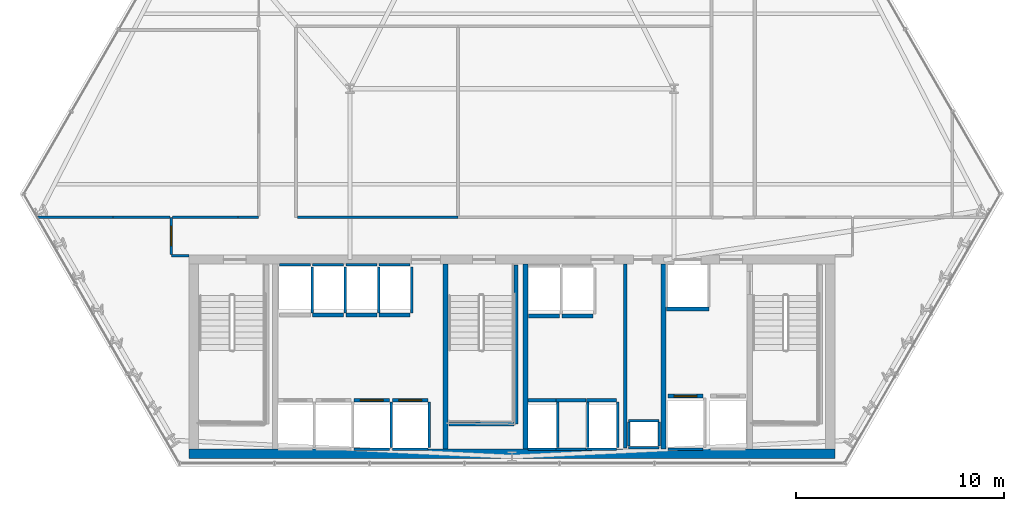
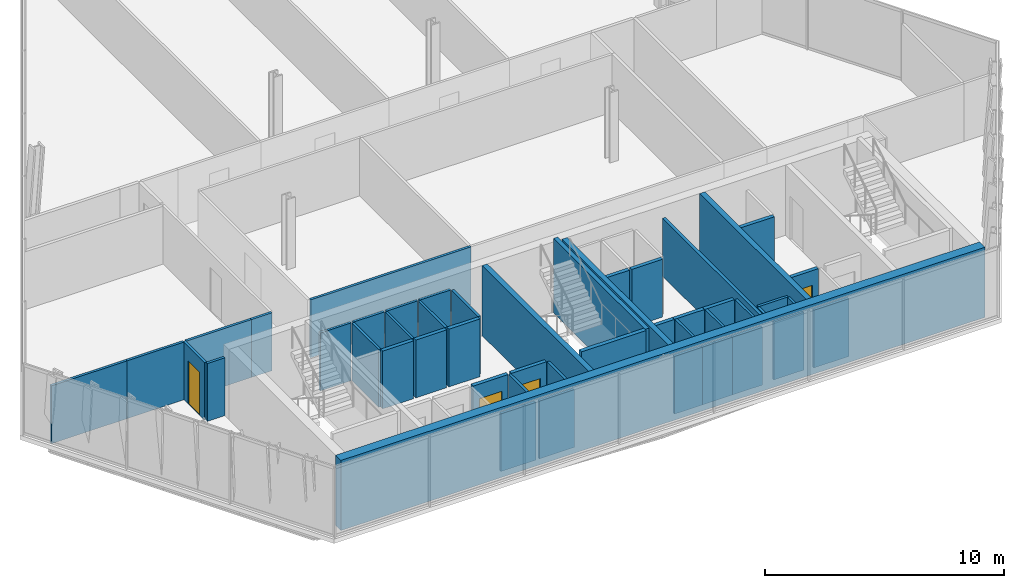
# One storey, part 27 of 32: 49 walls, 4 doors, 4 openings.
"""IFC4 building model written with IfcOpenShell, lengths in metres."""

import ifcopenshell
import ifcopenshell.guid

model = None  # the IFC model being written
_history = None  # IfcOwnerHistory: only IFC2X3 demands one
_inside = {}  # id of a spatial element -> (the spatial element, [elements in it])
_under = {}  # id of a project, library or spatial element -> (it, [spatial elements below it])
_declared = {}  # id of a project -> (the project, [libraries it declares])
_typed = {}  # id of a type object -> (the type object, [elements of that type])
_made_of = {}  # id of a material, layer set ... -> (it, [elements and type objects made of it])


def new_model(schema):
    """Start an empty IFC model of exactly this schema.

    Asked for "IFC4X3", IfcOpenShell would pick the latest addendum, in which some entities
    have other attributes; the version numbers below select the first issue.
    IFC2X3 requires an IfcOwnerHistory on every rooted entity: one is made here for all.
    """
    global model, _history
    if schema == "IFC4X3":
        model = ifcopenshell.file(schema_version=(4, 3, 0, 0))
    else:
        model = ifcopenshell.file(schema=schema)
    _inside.clear()
    _under.clear()
    _declared.clear()
    _typed.clear()
    _made_of.clear()
    _history = None
    if model.schema == "IFC2X3":
        org = make("IfcOrganization", Name="unknown")
        user = make(
            "IfcPersonAndOrganization",
            ThePerson=make("IfcPerson", FamilyName="unknown"),
            TheOrganization=org,
        )
        app = make(
            "IfcApplication",
            ApplicationDeveloper=org,
            Version="unknown",
            ApplicationFullName="unknown",
            ApplicationIdentifier="unknown",
        )
        _history = make(
            "IfcOwnerHistory",
            OwningUser=user,
            OwningApplication=app,
            ChangeAction="ADDED",
            CreationDate=0,
        )
    return model


def make(cls, **values):
    """One entity of the class cls with the attributes given. An attribute that is None is left unset."""
    return model.create_entity(
        cls, **{name: value for name, value in values.items() if value is not None}
    )


def rooted(cls, **values):
    """An entity with a GlobalId (a new one), such as an element, a storey or a relation."""
    return make(cls, GlobalId=ifcopenshell.guid.new(), OwnerHistory=_history, **values)


def si_unit(unit_type, name, prefix=None):
    """IfcSIUnit, for example si_unit("LENGTHUNIT", "METRE", prefix="MILLI")."""
    return make("IfcSIUnit", UnitType=unit_type, Prefix=prefix, Name=name)


def assignment(units):
    """IfcUnitAssignment: the units of a project."""
    return None if units is None else make("IfcUnitAssignment", Units=units)


def point(xyz):
    """IfcCartesianPoint."""
    return None if xyz is None else make("IfcCartesianPoint", Coordinates=xyz)


def direction(xyz):
    """IfcDirection."""
    return None if xyz is None else make("IfcDirection", DirectionRatios=xyz)


def frame(location, z_axis=None, x_axis=None):
    """IfcAxis2Placement3D, a coordinate frame: its origin and axes. An axis left out is left unset."""
    return make(
        "IfcAxis2Placement3D",
        Location=point(location),
        Axis=direction(z_axis),
        RefDirection=direction(x_axis),
    )


def frame_2d(location, x_axis=None):
    """IfcAxis2Placement2D, a coordinate frame in the plane: its origin and x axis."""
    return make(
        "IfcAxis2Placement2D", Location=point(location), RefDirection=direction(x_axis)
    )


def origin():
    """The frame at (0, 0, 0) with its axes left unset."""
    return frame((0.0, 0.0, 0.0))


def place(relative_to, where):
    """IfcLocalPlacement: puts the frame where relative to a parent placement (None: the world)."""
    return make(
        "IfcLocalPlacement", PlacementRelTo=relative_to, RelativePlacement=where
    )


def context(
    kind, dimensions, precision=None, world=None, true_north=None, identifier=None
):
    """IfcGeometricRepresentationContext, for example the 3D "Model" context."""
    return make(
        "IfcGeometricRepresentationContext",
        ContextIdentifier=identifier,
        ContextType=kind,
        CoordinateSpaceDimension=dimensions,
        Precision=precision,
        WorldCoordinateSystem=world,
        TrueNorth=true_north,
    )


def subcontext(parent, identifier, kind, view, scale=None):
    """IfcGeometricRepresentationSubContext, for example "Body" below "Model"."""
    return make(
        "IfcGeometricRepresentationSubContext",
        ContextIdentifier=identifier,
        ContextType=kind,
        ParentContext=parent,
        TargetScale=scale,
        TargetView=view,
    )


def project(units=None, contexts=None):
    """IfcProject with its units and contexts."""
    return rooted(
        "IfcProject",
        Name="project",
        RepresentationContexts=contexts,
        UnitsInContext=assignment(units),
    )


def spatial(cls, under=None, at=None, **own):
    """A site, building, storey or space (cls), placed at a placement, below another one or the project."""
    s = rooted(cls, ObjectPlacement=at, **own)
    if under is not None:
        _under.setdefault(under.id(), (under, []))[1].append(s)
    return s


def profile(cls, at=None, kind="AREA", **sizes):
    """A parametric profile (cls). Its sizes go by their IFC names, for example OverallWidth=200.0."""
    return make(cls, ProfileType=kind, Position=at, **sizes)


def rectangle(**sizes):
    """IfcRectangleProfileDef."""
    return profile("IfcRectangleProfileDef", **sizes)


def extrude(swept, where, along, depth):
    """IfcExtrudedAreaSolid: the profile swept, set in the frame where, extruded along a direction by depth."""
    return make(
        "IfcExtrudedAreaSolid",
        SweptArea=swept,
        Position=where,
        ExtrudedDirection=direction(along),
        Depth=depth,
    )


def shape(context_of_items, identifier, shape_type, items):
    """IfcShapeRepresentation: the items that make up one representation, for example the "Body"."""
    return make(
        "IfcShapeRepresentation",
        ContextOfItems=context_of_items,
        RepresentationIdentifier=identifier,
        RepresentationType=shape_type,
        Items=items,
    )


def material(Name=None, Category=None):
    """IfcMaterial."""
    return make("IfcMaterial", Name=Name, Category=Category)


def layer(
    of_material, thickness, ventilated=None, Name=None, Category=None, Priority=None
):
    """IfcMaterialLayer: one layer of a wall or slab, of a material (None: an air gap)."""
    return make(
        "IfcMaterialLayer",
        Material=of_material,
        LayerThickness=thickness,
        IsVentilated=ventilated,
        Name=Name,
        Category=Category,
        Priority=Priority,
    )


def layer_set(layers, Name=None):
    """IfcMaterialLayerSet."""
    return make("IfcMaterialLayerSet", MaterialLayers=layers, LayerSetName=Name)


def made_of(thing, what):
    """Note that an element or type object is made of a material, layer set ...; save() writes the relation."""
    if what is not None:
        _made_of.setdefault(what.id(), (what, []))[1].append(thing)
    return thing


def type_object(cls, material=None, **own):
    """A type object (cls), such as IfcWallType, which elements share."""
    return made_of(rooted(cls, **own), material)


def element(
    cls,
    number,
    at=None,
    inside=None,
    cuts=None,
    type_object=None,
    material=None,
    context=None,
    identifier="Body",
    shape_type=None,
    held_by="IfcProductDefinitionShape",
    body=None,
    shapes=None,
    **own,
):
    """One element of the class cls, such as IfcWall. Its Tag is "e" and its number.

    at: its placement. inside: the storey or other place that contains it. cuts: it is an
    opening in that element (IfcRelVoidsElement). A single representation is given by context,
    identifier, shape_type and body (its items); several are given by shapes. held_by: the class
    of the entity that holds the representations. save() writes the other relations.
    """
    e = rooted(cls, Tag="e%d" % number, ObjectPlacement=at, **own)
    if body is not None:
        shapes = [shape(context, identifier, shape_type, body)]
    if shapes is not None:
        e.Representation = make(held_by, Representations=shapes)
    if inside is not None:
        _inside.setdefault(inside.id(), (inside, []))[1].append(e)
    if cuts is not None:
        rooted(
            "IfcRelVoidsElement", RelatingBuildingElement=cuts, RelatedOpeningElement=e
        )
    if type_object is not None:
        _typed.setdefault(type_object.id(), (type_object, []))[1].append(e)
    return made_of(e, material)


def fill(opening, filler):
    """IfcRelFillsElement: the door or window that sits in an opening."""
    return rooted(
        "IfcRelFillsElement",
        RelatingOpeningElement=opening,
        RelatedBuildingElement=filler,
    )


def aggregate(whole, parts):
    """IfcRelAggregates: a whole, such as a stair, and the parts it consists of."""
    return rooted("IfcRelAggregates", RelatingObject=whole, RelatedObjects=parts)


def save(model, path):
    """Write the relations noted so far, then the file.

    IfcRelAggregates (storeys below a building ...), IfcRelContainedInSpatialStructure (elements
    in a storey), IfcRelDefinesByType, IfcRelAssociatesMaterial and IfcRelDeclares: one each for
    every whole, place, type object, material and project.
    """
    for whole, parts in _under.values():
        aggregate(whole, parts)
    for where, things in _inside.values():
        rooted(
            "IfcRelContainedInSpatialStructure",
            RelatedElements=things,
            RelatingStructure=where,
        )
    for kind, things in _typed.values():
        rooted("IfcRelDefinesByType", RelatedObjects=things, RelatingType=kind)
    for what, things in _made_of.values():
        rooted("IfcRelAssociatesMaterial", RelatedObjects=things, RelatingMaterial=what)
    for by, libraries in _declared.values():
        rooted("IfcRelDeclares", RelatingContext=by, RelatedDefinitions=libraries)
    model.write(path)


model = new_model("IFC4")

# Units and contexts
model_context = context("Model", 3, precision=1e-05, world=origin(), true_north=direction((0.0, 1.0)))
body_context = subcontext(model_context, "Body", "Model", "MODEL_VIEW")
ifc_project = project(units=[si_unit("LENGTHUNIT", "METRE"), si_unit("AREAUNIT", "SQUARE_METRE"), si_unit("VOLUMEUNIT", "CUBIC_METRE"), si_unit("PLANEANGLEUNIT", "RADIAN"), si_unit("MASSUNIT", "GRAM", prefix="KILO")], contexts=[model_context])

# Site, building, storey
site_placement = place(None, origin())
site = spatial("IfcSite", under=ifc_project, at=site_placement, CompositionType="ELEMENT")
building_placement = place(site_placement, origin())
building = spatial("IfcBuilding", under=site, at=building_placement, Name="Ndaravel Arena Tower", CompositionType="ELEMENT")
storey_placement = place(building_placement, frame((0.0, 0.0, 77.800048828125)))
storey = spatial("IfcBuildingStorey", under=building, at=storey_placement, Name="L17", CompositionType="ELEMENT", Elevation=77.800048828125)

# Walls
ifc_material_1 = material(Name="Gypsum", Category="gypsum")
ifc_layer_1 = layer(ifc_material_1, 0.14990234375)
ifc_layer_set_1 = layer_set([ifc_layer_1], Name="Gypsum")
wall_type_1 = type_object("IfcWallType", Name="WALL-COMP-150", PredefinedType="PARTITIONING", material=ifc_layer_set_1)
wall_1_placement = place(storey_placement, frame((47.449951171875, 5.89990234375, 0.0), z_axis=(0.0, 0.0, 1.0), x_axis=(0.0, 1.0, 0.0)))
element("IfcWall", 1, at=wall_1_placement, inside=storey, type_object=wall_type_1, Name="L17 Core Riser Bay Partition", PredefinedType="PARTITIONING", context=body_context, shape_type="SweptSolid", body=[
    extrude(rectangle(XDim=8.85009765625, YDim=0.14990234375, at=frame_2d((4.425048828125, 0.0))), origin(), (0.0, 0.0, 1.0), 2.949951171875),
])
ifc_material_2 = material(Name="Concrete C60/75", Category="concrete")
ifc_layer_2 = layer(ifc_material_2, 0.25)
ifc_layer_set_2 = layer_set([ifc_layer_2], Name="Concrete C60/75")
wall_type_2 = type_object("IfcWallType", Name="WALL-CORE-250", PredefinedType="SOLIDWALL", material=ifc_layer_set_2)
for number, where, z_axis, x_axis, name in (
    (2, (38.800048828125, 5.85009765625, 0.0), (0.0, 0.0, 1.0), (0.0, 1.0, 0.0), "L17 Core Web Shear Wall 2"),
    (3, (42.64990234375, 5.85009765625, 0.0), (0.0, 0.0, 1.0), (0.0, 1.0, 0.0), "L17 Core Web Shear Wall 3"),
    (4, (49.300048828125, 5.85009765625, 0.0), (0.0, 0.0, 1.0), (0.0, 1.0, 0.0), "L17 Core Web Shear Wall 4"),
):
    element("IfcWall", number, at=place(storey_placement, frame(where, z_axis=z_axis, x_axis=x_axis)), inside=storey, type_object=wall_type_2, Name=name, PredefinedType="SOLIDWALL", context=body_context, shape_type="SweptSolid", body=[
        extrude(rectangle(XDim=8.89990234375, YDim=0.25, at=frame_2d((4.449951171875, 0.0))), origin(), (0.0, 0.0, 1.0), 3.579833984375),
    ])
ifc_material_3 = material(Name="Concrete C60/75", Category="concrete")
ifc_layer_3 = layer(ifc_material_3, 0.449951171875)
ifc_layer_set_3 = layer_set([ifc_layer_3], Name="Concrete C60/75")
wall_type_3 = type_object("IfcWallType", Name="WALL-CORE-450", PredefinedType="SOLIDWALL", material=ifc_layer_set_3)
wall_2_placement = place(storey_placement, frame((26.449951171875, 5.625, 0.0), z_axis=(0.0, 0.0, 1.0), x_axis=(1.0, 0.0, 0.0)))
element("IfcWall", 5, at=wall_2_placement, inside=storey, type_object=wall_type_3, Name="L17 Core South Shear Wall", PredefinedType="SOLIDWALL", context=body_context, shape_type="SweptSolid", body=[
    extrude(rectangle(XDim=31.10009765625, YDim=0.449951171875, at=frame_2d((15.550048828125, 0.0))), origin(), (0.0, 0.0, 1.0), 3.579833984375),
])
ifc_material_4 = material(Name="Gypsum", Category="gypsum")
ifc_layer_4 = layer(ifc_material_4, 0.125)
ifc_layer_set_4 = layer_set([ifc_layer_4], Name="Gypsum")
wall_type_4 = type_object("IfcWallType", Name="WALL-PART-125", PredefinedType="PARTITIONING", material=ifc_layer_set_4)
wall_3_placement = place(storey_placement, frame((26.449951171875, 15.14990234375, 0.0), z_axis=(0.0, 0.0, 1.0), x_axis=(-1.0, 0.0, 0.0)))
element("IfcWall", 6, at=wall_3_placement, inside=storey, type_object=wall_type_4, Name="L17 Interior Partition 003", PredefinedType="PARTITIONING", context=body_context, shape_type="SweptSolid", body=[
    extrude(rectangle(XDim=0.849853515625, YDim=0.125, at=frame_2d((0.4248046875, 0.0))), origin(), (0.0, 0.0, 1.0), 2.949951171875),
])

# Wall, opening, door
wall_4_placement = place(storey_placement, frame((25.60009765625, 15.215087890625, 0.0), z_axis=(0.0, 0.0, 1.0), x_axis=(0.0, 1.0, 0.0)))
wall_4 = element("IfcWall", 7, at=wall_4_placement, inside=storey, type_object=wall_type_4, Name="L17 Interior Partition 004", PredefinedType="PARTITIONING", context=body_context, shape_type="SweptSolid", body=[
    extrude(rectangle(XDim=1.784912109375, YDim=0.125, at=frame_2d((0.892578125, 0.0))), origin(), (0.0, 0.0, 1.0), 2.949951171875),
])
opening_1_placement = place(wall_4_placement, frame((0.41748046875, 0.0, 0.0)))
opening_1 = element("IfcOpeningElement", 8, at=opening_1_placement, cuts=wall_4, Name="Opening ID-01", PredefinedType="OPENING", context=body_context, shape_type="SweptSolid", body=[
    extrude(rectangle(XDim=0.949951171875, YDim=2.199951171875, at=frame_2d((0.47509765625, 1.10009765625))), frame((0.0, 0.0625, 0.0), z_axis=(0.0, -1.0, 0.0), x_axis=(1.0, 0.0, 0.0)), (0.0, 0.0, 1.0), 0.125),
])
ifc_material_5 = material(Name="Timber", Category="wood")
door_type_1 = type_object("IfcDoorType", Name="DT-03-OFFICE-950", OperationType="SINGLE_SWING_LEFT", PredefinedType="DOOR", material=ifc_material_5)
door_1_placement = place(opening_1_placement, origin())
door_1 = element("IfcDoor", 9, at=door_1_placement, inside=storey, type_object=door_type_1, Name="L17 Open Plan Workplace Door", OperationType="SINGLE_SWING_RIGHT", OverallHeight=2.199951171875, OverallWidth=0.949951171875, PredefinedType="DOOR", context=body_context, shape_type="SweptSolid", body=[
    extrude(rectangle(XDim=0.949951171875, YDim=2.199951171875, at=frame_2d((0.47509765625, 1.10009765625))), frame((0.0, 0.02490234375, 0.0), z_axis=(0.0, -1.0, 0.0), x_axis=(1.0, 0.0, 0.0)), (0.0, 0.0, 1.0), 0.050048828125),
])
fill(opening_1, door_1)

# Walls
wall_5_placement = place(storey_placement, frame((25.6650390625, 17.0, 0.0), z_axis=(0.0, 0.0, 1.0), x_axis=(1.0, 0.0, 0.0)))
element("IfcWall", 10, at=wall_5_placement, inside=storey, type_object=wall_type_4, Name="L17 Interior Partition 005", PredefinedType="PARTITIONING", context=body_context, shape_type="SweptSolid", body=[
    extrude(rectangle(XDim=3.135009765625, YDim=0.125, at=frame_2d((1.5673828125, 0.0))), origin(), (0.0, 0.0, 1.0), 2.949951171875),
])
wall_6_placement = place(storey_placement, frame((28.800048828125, 17.0, 0.0), z_axis=(0.0, 0.0, 1.0), x_axis=(1.0, 0.0, 0.0)))
element("IfcWall", 11, at=wall_6_placement, inside=storey, type_object=wall_type_4, Name="L17 Interior Partition 006", PredefinedType="PARTITIONING", context=body_context, shape_type="SweptSolid", body=[
    extrude(rectangle(XDim=1.0, YDim=0.125, at=frame_2d((0.5, 0.0))), origin(), (0.0, 0.0, 1.0), 2.949951171875),
])
wall_7_placement = place(storey_placement, frame((31.6650390625, 17.0, 0.0), z_axis=(0.0, 0.0, 1.0), x_axis=(1.0, 0.0, 0.0)))
element("IfcWall", 12, at=wall_7_placement, inside=storey, type_object=wall_type_4, Name="L17 Interior Partition 018", PredefinedType="PARTITIONING", context=body_context, shape_type="SweptSolid", body=[
    extrude(rectangle(XDim=7.73486328125, YDim=0.125, at=frame_2d((3.867431640625, 0.0))), origin(), (0.0, 0.0, 1.0), 2.949951171875),
])
wall_8_placement = place(storey_placement, frame((19.1494140625, 17.0, 0.0), z_axis=(0.0, 0.0, 1.0), x_axis=(1.0, 0.0, 0.0)))
element("IfcWall", 13, at=wall_8_placement, inside=storey, type_object=wall_type_4, Name="L17 Interior Partition 023", PredefinedType="PARTITIONING", context=body_context, shape_type="SweptSolid", body=[
    extrude(rectangle(XDim=3.650634765625, YDim=0.125, at=frame_2d((1.8251953125, 0.0))), origin(), (0.0, 0.0, 1.0), 2.949951171875),
])
wall_9_placement = place(storey_placement, frame((22.800048828125, 17.0, 0.0), z_axis=(0.0, 0.0, 1.0), x_axis=(1.0, 0.0, 0.0)))
element("IfcWall", 14, at=wall_9_placement, inside=storey, type_object=wall_type_4, Name="L17 Interior Partition 024", PredefinedType="PARTITIONING", context=body_context, shape_type="SweptSolid", body=[
    extrude(rectangle(XDim=2.73486328125, YDim=0.125, at=frame_2d((1.367431640625, 0.0))), origin(), (0.0, 0.0, 1.0), 2.949951171875),
])
ifc_material_6 = material(Name="Concrete C40/50", Category="concrete")
ifc_layer_5 = layer(ifc_material_6, 0.1201171875)
ifc_layer_set_5 = layer_set([ifc_layer_5], Name="Concrete C40/50")
wall_type_5 = type_object("IfcWallType", Name="WALL-SHAFT-120", PredefinedType="SOLIDWALL", material=ifc_layer_set_5)
for number, where, z_axis, x_axis, name in (
    (15, (47.6201171875, 5.919921875, 0.0), (0.0, 0.0, 1.0), (1.0, 0.0, 0.0), "L17 MEP Riser Shaft S Wall"),
    (16, (47.6201171875, 7.219970703125, 0.0), (0.0, 0.0, 1.0), (1.0, 0.0, 0.0), "L17 MEP Riser Shaft N Wall"),
):
    element("IfcWall", number, at=place(storey_placement, frame(where, z_axis=z_axis, x_axis=x_axis)), inside=storey, type_object=wall_type_5, Name=name, PredefinedType="SOLIDWALL", context=body_context, shape_type="SweptSolid", body=[
        extrude(rectangle(XDim=1.4599609375, YDim=0.1201171875, at=frame_2d((0.72998046875, 0.0))), origin(), (0.0, 0.0, 1.0), 2.949951171875),
    ])
for number, where, z_axis, x_axis, name in (
    (17, (47.6201171875, 6.0, 0.0), (0.0, 0.0, 1.0), (0.0, 1.0, 0.0), "L17 MEP Riser Shaft W Wall"),
    (18, (49.080078125, 6.0, 0.0), (0.0, 0.0, 1.0), (0.0, 1.0, 0.0), "L17 MEP Riser Shaft E Wall"),
):
    element("IfcWall", number, at=place(storey_placement, frame(where, z_axis=z_axis, x_axis=x_axis)), inside=storey, type_object=wall_type_5, Name=name, PredefinedType="SOLIDWALL", context=body_context, shape_type="SweptSolid", body=[
        extrude(rectangle(XDim=1.139892578125, YDim=0.1201171875, at=frame_2d((0.56982421875, 0.0))), origin(), (0.0, 0.0, 1.0), 2.949951171875),
    ])
wall_10_placement = place(storey_placement, frame((34.405029296875, 5.840087890625, 0.0), z_axis=(0.0, 0.0, 1.0), x_axis=(1.0, 0.0, 0.0)))
element("IfcWall", 19, at=wall_10_placement, inside=storey, type_object=wall_type_5, Name="L17 PL-L3 Shaft Rear Wall", PredefinedType="SOLIDWALL", context=body_context, shape_type="SweptSolid", body=[
    extrude(rectangle(XDim=1.68994140625, YDim=0.1201171875, at=frame_2d((0.844970703125, 0.0))), origin(), (0.0, 0.0, 1.0), 2.949951171875),
])
wall_11_placement = place(storey_placement, frame((36.175048828125, 5.929931640625, 0.0), z_axis=(0.0, 0.0, 1.0), x_axis=(0.0, 1.0, 0.0)))
element("IfcWall", 20, at=wall_11_placement, inside=storey, type_object=wall_type_5, Name="L17 PL-L3 Shaft Side R Wall", PredefinedType="SOLIDWALL", context=body_context, shape_type="SweptSolid", body=[
    extrude(rectangle(XDim=2.18017578125, YDim=0.1201171875, at=frame_2d((1.090087890625, 0.0))), origin(), (0.0, 0.0, 1.0), 2.949951171875),
])
wall_12_placement = place(storey_placement, frame((36.2548828125, 5.840087890625, 0.0), z_axis=(0.0, 0.0, 1.0), x_axis=(1.0, 0.0, 0.0)))
element("IfcWall", 21, at=wall_12_placement, inside=storey, type_object=wall_type_5, Name="L17 PL-L4 Shaft Rear Wall", PredefinedType="SOLIDWALL", context=body_context, shape_type="SweptSolid", body=[
    extrude(rectangle(XDim=1.690185546875, YDim=0.1201171875, at=frame_2d((0.84521484375, 0.0))), origin(), (0.0, 0.0, 1.0), 2.949951171875),
])
wall_13_placement = place(storey_placement, frame((38.02490234375, 5.929931640625, 0.0), z_axis=(0.0, 0.0, 1.0), x_axis=(0.0, 1.0, 0.0)))
element("IfcWall", 22, at=wall_13_placement, inside=storey, type_object=wall_type_5, Name="L17 PL-L4 Shaft Side R Wall", PredefinedType="SOLIDWALL", context=body_context, shape_type="SweptSolid", body=[
    extrude(rectangle(XDim=2.18017578125, YDim=0.1201171875, at=frame_2d((1.090087890625, 0.0))), origin(), (0.0, 0.0, 1.0), 2.949951171875),
])
wall_14_placement = place(storey_placement, frame((30.804931640625, 14.7099609375, 0.0), z_axis=(0.0, 0.0, 1.0), x_axis=(1.0, 0.0, 0.0)))
element("IfcWall", 23, at=wall_14_placement, inside=storey, type_object=wall_type_5, Name="L17 PL-M1 Shaft Rear Wall", PredefinedType="SOLIDWALL", context=body_context, shape_type="SweptSolid", body=[
    extrude(rectangle(XDim=1.489990234375, YDim=0.1201171875, at=frame_2d((0.7451171875, 0.0))), origin(), (0.0, 0.0, 1.0), 2.949951171875),
])
wall_15_placement = place(storey_placement, frame((32.375, 12.389892578125, 0.0), z_axis=(0.0, 0.0, 1.0), x_axis=(0.0, 1.0, 0.0)))
element("IfcWall", 24, at=wall_15_placement, inside=storey, type_object=wall_type_5, Name="L17 PL-M1 Shaft Side R Wall", PredefinedType="SOLIDWALL", context=body_context, shape_type="SweptSolid", body=[
    extrude(rectangle(XDim=2.230224609375, YDim=0.1201171875, at=frame_2d((1.115234375, 0.0))), origin(), (0.0, 0.0, 1.0), 2.949951171875),
])
wall_16_placement = place(storey_placement, frame((32.405029296875, 14.7099609375, 0.0), z_axis=(0.0, 0.0, 1.0), x_axis=(1.0, 0.0, 0.0)))
element("IfcWall", 25, at=wall_16_placement, inside=storey, type_object=wall_type_5, Name="L17 PL-M2 Shaft Rear Wall", PredefinedType="SOLIDWALL", context=body_context, shape_type="SweptSolid", body=[
    extrude(rectangle(XDim=1.489990234375, YDim=0.1201171875, at=frame_2d((0.7451171875, 0.0))), origin(), (0.0, 0.0, 1.0), 2.949951171875),
])
wall_17_placement = place(storey_placement, frame((33.97509765625, 12.389892578125, 0.0), z_axis=(0.0, 0.0, 1.0), x_axis=(0.0, 1.0, 0.0)))
element("IfcWall", 26, at=wall_17_placement, inside=storey, type_object=wall_type_5, Name="L17 PL-M2 Shaft Side R Wall", PredefinedType="SOLIDWALL", context=body_context, shape_type="SweptSolid", body=[
    extrude(rectangle(XDim=2.230224609375, YDim=0.1201171875, at=frame_2d((1.115234375, 0.0))), origin(), (0.0, 0.0, 1.0), 2.949951171875),
])
wall_18_placement = place(storey_placement, frame((34.0048828125, 14.7099609375, 0.0), z_axis=(0.0, 0.0, 1.0), x_axis=(1.0, 0.0, 0.0)))
element("IfcWall", 27, at=wall_18_placement, inside=storey, type_object=wall_type_5, Name="L17 PL-M3 Shaft Rear Wall", PredefinedType="SOLIDWALL", context=body_context, shape_type="SweptSolid", body=[
    extrude(rectangle(XDim=1.490234375, YDim=0.1201171875, at=frame_2d((0.7451171875, 0.0))), origin(), (0.0, 0.0, 1.0), 2.949951171875),
])
wall_19_placement = place(storey_placement, frame((35.574951171875, 12.389892578125, 0.0), z_axis=(0.0, 0.0, 1.0), x_axis=(0.0, 1.0, 0.0)))
element("IfcWall", 28, at=wall_19_placement, inside=storey, type_object=wall_type_5, Name="L17 PL-M3 Shaft Side R Wall", PredefinedType="SOLIDWALL", context=body_context, shape_type="SweptSolid", body=[
    extrude(rectangle(XDim=2.230224609375, YDim=0.1201171875, at=frame_2d((1.115234375, 0.0))), origin(), (0.0, 0.0, 1.0), 2.949951171875),
])
wall_20_placement = place(storey_placement, frame((35.60498046875, 14.7099609375, 0.0), z_axis=(0.0, 0.0, 1.0), x_axis=(1.0, 0.0, 0.0)))
element("IfcWall", 29, at=wall_20_placement, inside=storey, type_object=wall_type_5, Name="L17 PL-M4 Shaft Rear Wall", PredefinedType="SOLIDWALL", context=body_context, shape_type="SweptSolid", body=[
    extrude(rectangle(XDim=1.489990234375, YDim=0.1201171875, at=frame_2d((0.7451171875, 0.0))), origin(), (0.0, 0.0, 1.0), 2.949951171875),
])
wall_21_placement = place(storey_placement, frame((37.175048828125, 12.389892578125, 0.0), z_axis=(0.0, 0.0, 1.0), x_axis=(0.0, 1.0, 0.0)))
element("IfcWall", 30, at=wall_21_placement, inside=storey, type_object=wall_type_5, Name="L17 PL-M4 Shaft Side R Wall", PredefinedType="SOLIDWALL", context=body_context, shape_type="SweptSolid", body=[
    extrude(rectangle(XDim=2.230224609375, YDim=0.1201171875, at=frame_2d((1.115234375, 0.0))), origin(), (0.0, 0.0, 1.0), 2.949951171875),
])
wall_22_placement = place(storey_placement, frame((42.780029296875, 5.840087890625, 0.0), z_axis=(0.0, 0.0, 1.0), x_axis=(1.0, 0.0, 0.0)))
element("IfcWall", 31, at=wall_22_placement, inside=storey, type_object=wall_type_5, Name="L17 PL-H1 Shaft Rear Wall", PredefinedType="SOLIDWALL", context=body_context, shape_type="SweptSolid", body=[
    extrude(rectangle(XDim=1.340087890625, YDim=0.1201171875, at=frame_2d((0.669921875, 0.0))), origin(), (0.0, 0.0, 1.0), 2.949951171875),
])
wall_23_placement = place(storey_placement, frame((44.199951171875, 5.929931640625, 0.0), z_axis=(0.0, 0.0, 1.0), x_axis=(0.0, 1.0, 0.0)))
element("IfcWall", 32, at=wall_23_placement, inside=storey, type_object=wall_type_5, Name="L17 PL-H1 Shaft Side R Wall", PredefinedType="SOLIDWALL", context=body_context, shape_type="SweptSolid", body=[
    extrude(rectangle(XDim=2.18017578125, YDim=0.1201171875, at=frame_2d((1.090087890625, 0.0))), origin(), (0.0, 0.0, 1.0), 2.949951171875),
])
wall_24_placement = place(storey_placement, frame((44.1298828125, 5.840087890625, 0.0), z_axis=(0.0, 0.0, 1.0), x_axis=(1.0, 0.0, 0.0)))
element("IfcWall", 33, at=wall_24_placement, inside=storey, type_object=wall_type_5, Name="L17 PL-H2 Shaft Rear Wall", PredefinedType="SOLIDWALL", context=body_context, shape_type="SweptSolid", body=[
    extrude(rectangle(XDim=1.440185546875, YDim=0.1201171875, at=frame_2d((0.72021484375, 0.0))), origin(), (0.0, 0.0, 1.0), 2.949951171875),
])
wall_25_placement = place(storey_placement, frame((45.64990234375, 5.929931640625, 0.0), z_axis=(0.0, 0.0, 1.0), x_axis=(0.0, 1.0, 0.0)))
element("IfcWall", 34, at=wall_25_placement, inside=storey, type_object=wall_type_5, Name="L17 PL-H2 Shaft Side R Wall", PredefinedType="SOLIDWALL", context=body_context, shape_type="SweptSolid", body=[
    extrude(rectangle(XDim=2.18017578125, YDim=0.1201171875, at=frame_2d((1.090087890625, 0.0))), origin(), (0.0, 0.0, 1.0), 2.949951171875),
])
wall_26_placement = place(storey_placement, frame((45.580078125, 5.840087890625, 0.0), z_axis=(0.0, 0.0, 1.0), x_axis=(1.0, 0.0, 0.0)))
element("IfcWall", 35, at=wall_26_placement, inside=storey, type_object=wall_type_5, Name="L17 PL-H3 Shaft Rear Wall", PredefinedType="SOLIDWALL", context=body_context, shape_type="SweptSolid", body=[
    extrude(rectangle(XDim=1.43994140625, YDim=0.1201171875, at=frame_2d((0.719970703125, 0.0))), origin(), (0.0, 0.0, 1.0), 2.949951171875),
])
wall_27_placement = place(storey_placement, frame((47.10009765625, 5.929931640625, 0.0), z_axis=(0.0, 0.0, 1.0), x_axis=(0.0, 1.0, 0.0)))
element("IfcWall", 36, at=wall_27_placement, inside=storey, type_object=wall_type_5, Name="L17 PL-H3 Shaft Side R Wall", PredefinedType="SOLIDWALL", context=body_context, shape_type="SweptSolid", body=[
    extrude(rectangle(XDim=2.18017578125, YDim=0.1201171875, at=frame_2d((1.090087890625, 0.0))), origin(), (0.0, 0.0, 1.0), 2.949951171875),
])
wall_28_placement = place(storey_placement, frame((49.5048828125, 5.840087890625, 0.0), z_axis=(0.0, 0.0, 1.0), x_axis=(1.0, 0.0, 0.0)))
element("IfcWall", 37, at=wall_28_placement, inside=storey, type_object=wall_type_5, Name="L17 FFL-1 Shaft Rear Wall", PredefinedType="SOLIDWALL", context=body_context, shape_type="SweptSolid", body=[
    extrude(rectangle(XDim=1.690185546875, YDim=0.1201171875, at=frame_2d((0.84521484375, 0.0))), origin(), (0.0, 0.0, 1.0), 2.949951171875),
])
ifc_material_7 = material(Name="Concrete C40/50", Category="concrete")
ifc_layer_6 = layer(ifc_material_7, 0.199951171875)
ifc_layer_set_6 = layer_set([ifc_layer_6], Name="Concrete C40/50")
wall_type_6 = type_object("IfcWallType", Name="WALL-SHAFT-200", PredefinedType="SOLIDWALL", material=ifc_layer_set_6)
wall_29_placement = place(storey_placement, frame((42.18994140625, 14.699951171875, 0.0), z_axis=(0.0, 0.0, 1.0), x_axis=(0.0, -1.0, 0.0)))
element("IfcWall", 38, at=wall_29_placement, inside=storey, type_object=wall_type_6, Name="L17 ST-2 Structural Shaft Wall Right", PredefinedType="SOLIDWALL", context=body_context, shape_type="SweptSolid", body=[
    extrude(rectangle(XDim=7.64990234375, YDim=0.199951171875, at=frame_2d((3.824951171875, 0.0))), origin(), (0.0, 0.0, 1.0), 3.800048828125),
])
wall_30_placement = place(storey_placement, frame((38.969970703125, 7.050048828125, 0.0), z_axis=(0.0, 0.0, 1.0), x_axis=(1.0, 0.0, 0.0)))
element("IfcWall", 39, at=wall_30_placement, inside=storey, type_object=wall_type_6, Name="L17 ST-2 Structural Shaft Wall Far", PredefinedType="SOLIDWALL", context=body_context, shape_type="SweptSolid", body=[
    extrude(rectangle(XDim=3.114990234375, YDim=0.199951171875, at=frame_2d((1.5576171875, 0.0))), origin(), (0.0, 0.0, 1.0), 3.800048828125),
])

# Wall, opening, door
wall_31_placement = place(storey_placement, frame((34.405029296875, 8.199951171875, 0.0), z_axis=(0.0, 0.0, 1.0), x_axis=(1.0, 0.0, 0.0)))
wall_31 = element("IfcWall", 40, at=wall_31_placement, inside=storey, type_object=wall_type_6, Name="L17 PL-L3 Shaft Landing Wall", PredefinedType="SOLIDWALL", context=body_context, shape_type="SweptSolid", body=[
    extrude(rectangle(XDim=1.68994140625, YDim=0.179931640625, at=frame_2d((0.844970703125, 0.0))), origin(), (0.0, 0.0, 1.0), 2.949951171875),
])
opening_2_placement = place(wall_31_placement, frame((0.294921875, 0.0, 0.0)))
opening_2 = element("IfcOpeningElement", 41, at=opening_2_placement, cuts=wall_31, Name="Opening LD-01", PredefinedType="OPENING", context=body_context, shape_type="SweptSolid", body=[
    extrude(rectangle(XDim=1.10009765625, YDim=2.199951171875, at=frame_2d((0.550048828125, 1.10009765625))), frame((0.0, 0.08984375, 0.0), z_axis=(0.0, -1.0, 0.0), x_axis=(1.0, 0.0, 0.0)), (0.0, 0.0, 1.0), 0.179931640625),
])
ifc_material_8 = material(Name="Steel S355", Category="steel")
door_type_2 = type_object("IfcDoorType", Name="DT-06-LIFT-1100", OperationType="SLIDING_TO_LEFT", PredefinedType="DOOR", material=ifc_material_8)
door_2_placement = place(opening_2_placement, origin())
door_2 = element("IfcDoor", 42, at=door_2_placement, inside=storey, type_object=door_type_2, Name="L17 Lift PL-L3 Sliding Landing Door", OperationType="SLIDING_TO_LEFT", OverallHeight=2.199951171875, OverallWidth=1.10009765625, PredefinedType="DOOR", context=body_context, shape_type="SweptSolid", body=[
    extrude(rectangle(XDim=1.10009765625, YDim=2.199951171875, at=frame_2d((0.550048828125, 1.10009765625))), frame((0.0, 0.02490234375, 0.0), z_axis=(0.0, -1.0, 0.0), x_axis=(1.0, 0.0, 0.0)), (0.0, 0.0, 1.0), 0.050048828125),
])
fill(opening_2, door_2)

wall_32_placement = place(storey_placement, frame((36.2548828125, 8.199951171875, 0.0), z_axis=(0.0, 0.0, 1.0), x_axis=(1.0, 0.0, 0.0)))
wall_32 = element("IfcWall", 43, at=wall_32_placement, inside=storey, type_object=wall_type_6, Name="L17 PL-L4 Shaft Landing Wall", PredefinedType="SOLIDWALL", context=body_context, shape_type="SweptSolid", body=[
    extrude(rectangle(XDim=1.690185546875, YDim=0.179931640625, at=frame_2d((0.84521484375, 0.0))), origin(), (0.0, 0.0, 1.0), 2.949951171875),
])
opening_3_placement = place(wall_32_placement, frame((0.294921875, 0.0, 0.0)))
opening_3 = element("IfcOpeningElement", 44, at=opening_3_placement, cuts=wall_32, Name="Opening LD-01", PredefinedType="OPENING", context=body_context, shape_type="SweptSolid", body=[
    extrude(rectangle(XDim=1.10009765625, YDim=2.199951171875, at=frame_2d((0.550048828125, 1.10009765625))), frame((0.0, 0.08984375, 0.0), z_axis=(0.0, -1.0, 0.0), x_axis=(1.0, 0.0, 0.0)), (0.0, 0.0, 1.0), 0.179931640625),
])
door_3_placement = place(opening_3_placement, origin())
door_3 = element("IfcDoor", 45, at=door_3_placement, inside=storey, type_object=door_type_2, Name="L17 Lift PL-L4 Sliding Landing Door", OperationType="SLIDING_TO_LEFT", OverallHeight=2.199951171875, OverallWidth=1.10009765625, PredefinedType="DOOR", context=body_context, shape_type="SweptSolid", body=[
    extrude(rectangle(XDim=1.10009765625, YDim=2.199951171875, at=frame_2d((0.550048828125, 1.10009765625))), frame((0.0, 0.02490234375, 0.0), z_axis=(0.0, -1.0, 0.0), x_axis=(1.0, 0.0, 0.0)), (0.0, 0.0, 1.0), 0.050048828125),
])
fill(opening_3, door_3)

# Walls
wall_33_placement = place(storey_placement, frame((32.405029296875, 12.300048828125, 0.0), z_axis=(0.0, 0.0, 1.0), x_axis=(1.0, 0.0, 0.0)))
element("IfcWall", 46, at=wall_33_placement, inside=storey, type_object=wall_type_6, Name="L17 PL-M2 Shaft Landing Wall", PredefinedType="SOLIDWALL", context=body_context, shape_type="SweptSolid", body=[
    extrude(rectangle(XDim=1.489990234375, YDim=0.179931640625, at=frame_2d((0.7451171875, 0.0))), origin(), (0.0, 0.0, 1.0), 2.949951171875),
])
wall_34_placement = place(storey_placement, frame((34.0048828125, 12.300048828125, 0.0), z_axis=(0.0, 0.0, 1.0), x_axis=(1.0, 0.0, 0.0)))
element("IfcWall", 47, at=wall_34_placement, inside=storey, type_object=wall_type_6, Name="L17 PL-M3 Shaft Landing Wall", PredefinedType="SOLIDWALL", context=body_context, shape_type="SweptSolid", body=[
    extrude(rectangle(XDim=1.490234375, YDim=0.179931640625, at=frame_2d((0.7451171875, 0.0))), origin(), (0.0, 0.0, 1.0), 2.949951171875),
])
wall_35_placement = place(storey_placement, frame((35.60498046875, 12.300048828125, 0.0), z_axis=(0.0, 0.0, 1.0), x_axis=(1.0, 0.0, 0.0)))
element("IfcWall", 48, at=wall_35_placement, inside=storey, type_object=wall_type_6, Name="L17 PL-M4 Shaft Landing Wall", PredefinedType="SOLIDWALL", context=body_context, shape_type="SweptSolid", body=[
    extrude(rectangle(XDim=1.489990234375, YDim=0.179931640625, at=frame_2d((0.7451171875, 0.0))), origin(), (0.0, 0.0, 1.0), 2.949951171875),
])
wall_36_placement = place(storey_placement, frame((42.780029296875, 8.199951171875, 0.0), z_axis=(0.0, 0.0, 1.0), x_axis=(1.0, 0.0, 0.0)))
element("IfcWall", 49, at=wall_36_placement, inside=storey, type_object=wall_type_6, Name="L17 PL-H1 Shaft Landing Wall", PredefinedType="SOLIDWALL", context=body_context, shape_type="SweptSolid", body=[
    extrude(rectangle(XDim=1.340087890625, YDim=0.179931640625, at=frame_2d((0.669921875, 0.0))), origin(), (0.0, 0.0, 1.0), 2.949951171875),
])
wall_37_placement = place(storey_placement, frame((44.1298828125, 8.199951171875, 0.0), z_axis=(0.0, 0.0, 1.0), x_axis=(1.0, 0.0, 0.0)))
element("IfcWall", 50, at=wall_37_placement, inside=storey, type_object=wall_type_6, Name="L17 PL-H2 Shaft Landing Wall", PredefinedType="SOLIDWALL", context=body_context, shape_type="SweptSolid", body=[
    extrude(rectangle(XDim=1.440185546875, YDim=0.179931640625, at=frame_2d((0.72021484375, 0.0))), origin(), (0.0, 0.0, 1.0), 2.949951171875),
])
wall_38_placement = place(storey_placement, frame((45.580078125, 8.199951171875, 0.0), z_axis=(0.0, 0.0, 1.0), x_axis=(1.0, 0.0, 0.0)))
element("IfcWall", 51, at=wall_38_placement, inside=storey, type_object=wall_type_6, Name="L17 PL-H3 Shaft Landing Wall", PredefinedType="SOLIDWALL", context=body_context, shape_type="SweptSolid", body=[
    extrude(rectangle(XDim=1.43994140625, YDim=0.179931640625, at=frame_2d((0.719970703125, 0.0))), origin(), (0.0, 0.0, 1.0), 2.949951171875),
])
for number, where, z_axis, x_axis, name in (
    (52, (42.804931640625, 12.25, 0.0), (0.0, 0.0, 1.0), (1.0, 0.0, 0.0), "L17 PL-OBS1 Shaft Landing Wall"),
    (53, (44.405029296875, 12.25, 0.0), (0.0, 0.0, 1.0), (1.0, 0.0, 0.0), "L17 PL-OBS2 Shaft Landing Wall"),
):
    element("IfcWall", number, at=place(storey_placement, frame(where, z_axis=z_axis, x_axis=x_axis)), inside=storey, type_object=wall_type_6, Name=name, PredefinedType="SOLIDWALL", context=body_context, shape_type="SweptSolid", body=[
        extrude(rectangle(XDim=1.489990234375, YDim=0.179931640625, at=frame_2d((0.7451171875, 0.0))), origin(), (0.0, 0.0, 1.0), 2.949951171875),
    ])

# Wall, opening, door
wall_39_placement = place(storey_placement, frame((49.5048828125, 8.39990234375, 0.0), z_axis=(0.0, 0.0, 1.0), x_axis=(1.0, 0.0, 0.0)))
wall_39 = element("IfcWall", 54, at=wall_39_placement, inside=storey, type_object=wall_type_6, Name="L17 FFL-1 Shaft Landing Wall", PredefinedType="SOLIDWALL", context=body_context, shape_type="SweptSolid", body=[
    extrude(rectangle(XDim=1.690185546875, YDim=0.179931640625, at=frame_2d((0.84521484375, 0.0))), origin(), (0.0, 0.0, 1.0), 2.949951171875),
])
opening_4_placement = place(wall_39_placement, frame((0.294921875, 0.0, 0.0)))
opening_4 = element("IfcOpeningElement", 55, at=opening_4_placement, cuts=wall_39, Name="Opening LD-01", PredefinedType="OPENING", context=body_context, shape_type="SweptSolid", body=[
    extrude(rectangle(XDim=1.10009765625, YDim=2.199951171875, at=frame_2d((0.550048828125, 1.10009765625))), frame((0.0, 0.08984375, 0.0), z_axis=(0.0, -1.0, 0.0), x_axis=(1.0, 0.0, 0.0)), (0.0, 0.0, 1.0), 0.179931640625),
])
door_4_placement = place(opening_4_placement, origin())
door_4 = element("IfcDoor", 56, at=door_4_placement, inside=storey, type_object=door_type_2, Name="L17 Lift FFL-1 Sliding Landing Door", OperationType="SLIDING_TO_LEFT", OverallHeight=2.199951171875, OverallWidth=1.10009765625, PredefinedType="DOOR", context=body_context, shape_type="SweptSolid", body=[
    extrude(rectangle(XDim=1.10009765625, YDim=2.199951171875, at=frame_2d((0.550048828125, 1.10009765625))), frame((0.0, 0.02490234375, 0.0), z_axis=(0.0, -1.0, 0.0), x_axis=(1.0, 0.0, 0.0)), (0.0, 0.0, 1.0), 0.050048828125),
])
fill(opening_4, door_4)

# Wall
wall_40_placement = place(storey_placement, frame((49.43994140625, 12.594970703125, 0.0), z_axis=(0.0, 0.0, 1.0), x_axis=(1.0, 0.0, 0.0)))
element("IfcWall", 57, at=wall_40_placement, inside=storey, type_object=wall_type_6, Name="L17 SVL-1 Shaft South Wall", PredefinedType="SOLIDWALL", context=body_context, shape_type="SweptSolid", body=[
    extrude(rectangle(XDim=2.0400390625, YDim=0.179931640625, at=frame_2d((1.02001953125, 0.0))), origin(), (0.0, 0.0, 1.0), 2.949951171875),
])

save(model, "model.ifc")
